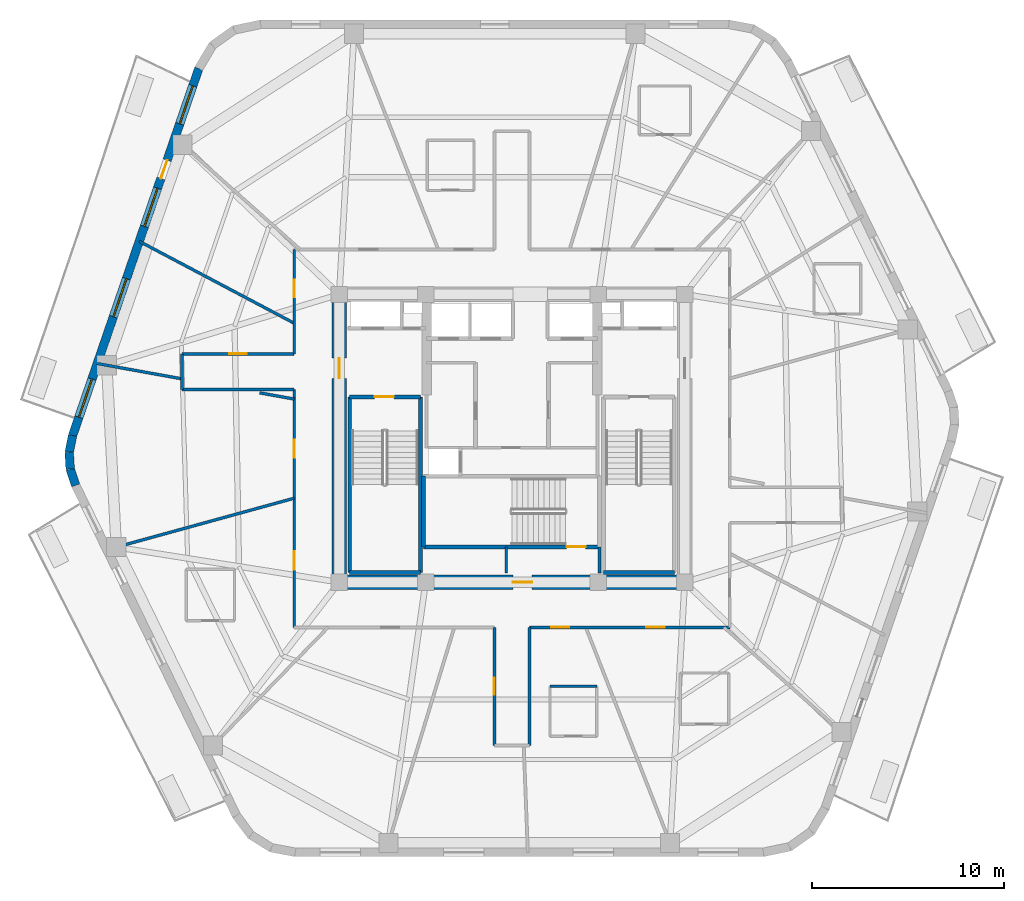
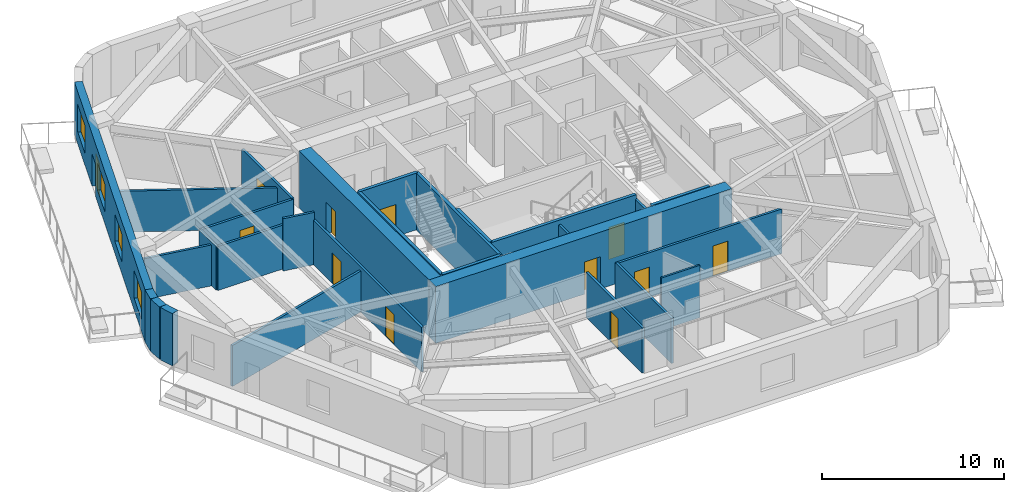
# One storey, part 3 of 9: 28 walls, 12 doors, 4 windows, 16 openings.
"""IFC4 building model written with IfcOpenShell, lengths in metres."""

from ifc_helpers import new_model, si_unit, direction, frame, frame_2d, origin, place, context, subcontext, project, spatial, rectangle, extrude, material, layer, layer_set, type_object, element, fill, save


model = new_model("IFC4")

# Units and contexts
model_context = context("Model", 3, precision=1e-05, world=origin(), true_north=direction((0.0, 1.0)))
body_context = subcontext(model_context, "Body", "Model", "MODEL_VIEW")
ifc_project = project(units=[si_unit("LENGTHUNIT", "METRE"), si_unit("AREAUNIT", "SQUARE_METRE"), si_unit("VOLUMEUNIT", "CUBIC_METRE"), si_unit("PLANEANGLEUNIT", "RADIAN"), si_unit("MASSUNIT", "GRAM", prefix="KILO")], contexts=[model_context])

# Site, building, storey
site_placement = place(None, origin())
site = spatial("IfcSite", under=ifc_project, at=site_placement, CompositionType="ELEMENT")
building_placement = place(site_placement, origin())
building = spatial("IfcBuilding", under=site, at=building_placement, Name="Kilnhurst Terrace Hotel", CompositionType="ELEMENT")
storey_placement = place(building_placement, frame((0.0, 0.0, 240.699951171875)))
storey = spatial("IfcBuildingStorey", under=building, at=storey_placement, Name="L60", CompositionType="ELEMENT", Elevation=240.699951171875)

# Walls
ifc_material_1 = material(Name="Precast concrete C40/50", Category="concrete")
ifc_layer_1 = layer(ifc_material_1, 0.449951171875, Name="Precast concrete C40/50")
ifc_layer_set_1 = layer_set([ifc_layer_1], Name="Precast concrete C40/50")
wall_type_1 = type_object("IfcWallType", Name="WL-BRK-450", PredefinedType="SOLIDWALL", material=ifc_layer_set_1)
wall_1_placement = place(storey_placement, frame((-22.8984375, 0.149658203125, 0.0), z_axis=(0.0, 0.0, 1.0), x_axis=(-0.199055826889, -0.979988151858, 0.0)))
element("IfcWall", 1, at=wall_1_placement, inside=storey, type_object=wall_type_1, Name="L60 Rounded Corner Brick Wall C6.1", PredefinedType="SOLIDWALL", context=body_context, shape_type="SweptSolid", body=[
    extrude(rectangle(XDim=0.89404296875, YDim=0.449951171875, at=frame_2d((0.447021484375, 0.0))), origin(), (0.0, 0.0, 1.0), 3.5),
])
wall_2_placement = place(storey_placement, frame((-23.076416015625, -0.7265625, 0.0), z_axis=(0.0, 0.0, 1.0), x_axis=(0.060805222108, -0.998149650586, 0.0)))
element("IfcWall", 2, at=wall_2_placement, inside=storey, type_object=wall_type_1, Name="L60 Rounded Corner Brick Wall C6.2", PredefinedType="SOLIDWALL", context=body_context, shape_type="SweptSolid", body=[
    extrude(rectangle(XDim=0.87939453125, YDim=0.449951171875, at=frame_2d((0.439697265625, 0.0))), origin(), (0.0, 0.0, 1.0), 3.5),
])
wall_3_placement = place(storey_placement, frame((-23.02294921875, -1.604248046875, 0.0), z_axis=(0.0, 0.0, 1.0), x_axis=(0.316801227695, -0.948491951537, 0.0)))
element("IfcWall", 3, at=wall_3_placement, inside=storey, type_object=wall_type_1, Name="L60 Rounded Corner Brick Wall C6.3", PredefinedType="SOLIDWALL", context=body_context, shape_type="SweptSolid", body=[
    extrude(rectangle(XDim=0.89404296875, YDim=0.449951171875, at=frame_2d((0.447021484375, 0.0))), origin(), (0.0, 0.0, 1.0), 3.5),
])

# Wall, openings, door, windows
wall_4_placement = place(storey_placement, frame((-16.323974609375, 19.275146484375, 0.0), z_axis=(0.0, 0.0, 1.0), x_axis=(-0.325083142304, -0.945685439557, 0.0)))
wall_4 = element("IfcWall", 4, at=wall_4_placement, inside=storey, type_object=wall_type_1, Name="L60 Exterior Brick Facade Wall F5", PredefinedType="SOLIDWALL", context=body_context, shape_type="SweptSolid", body=[
    extrude(rectangle(XDim=20.223876953125, YDim=0.449951171875, at=frame_2d((10.11181640625, 0.0))), origin(), (0.0, 0.0, 1.0), 3.5),
])
opening_1_placement = place(wall_4_placement, frame((5.06201171875, 0.0, 0.0)))
opening_1 = element("IfcOpeningElement", 5, at=opening_1_placement, cuts=wall_4, Name="Opening BD-1000", PredefinedType="OPENING", context=body_context, shape_type="SweptSolid", body=[
    extrude(rectangle(XDim=1.0, YDim=2.14990234375, at=frame_2d((0.5, 1.074951171875))), frame((0.0, 0.23486328125, 0.0), z_axis=(0.0, -1.0, 0.0), x_axis=(1.0, 0.0, 0.0)), (0.0, 0.0, 1.0), 0.469970703125),
])
opening_2_placement = place(wall_4_placement, frame((0.952880859375, 0.0, 0.800048828125)))
opening_2 = element("IfcOpeningElement", 6, at=opening_2_placement, cuts=wall_4, Name="Opening W-04", PredefinedType="OPENING", context=body_context, shape_type="SweptSolid", body=[
    extrude(rectangle(XDim=2.10009765625, YDim=1.85009765625, at=frame_2d((1.050048828125, 0.925048828125))), frame((0.0, 0.23486328125, 0.0), z_axis=(0.0, -1.0, 0.0), x_axis=(1.0, 0.0, 0.0)), (0.0, 0.0, 1.0), 0.469970703125),
])
opening_3_placement = place(wall_4_placement, frame((6.60400390625, 0.0, 0.800048828125)))
opening_3 = element("IfcOpeningElement", 7, at=opening_3_placement, cuts=wall_4, Name="Opening W-04", PredefinedType="OPENING", context=body_context, shape_type="SweptSolid", body=[
    extrude(rectangle(XDim=2.10009765625, YDim=1.85009765625, at=frame_2d((1.050048828125, 0.925048828125))), frame((0.0, 0.23486328125, 0.0), z_axis=(0.0, -1.0, 0.0), x_axis=(1.0, 0.0, 0.0)), (0.0, 0.0, 1.0), 0.469970703125),
])
opening_4_placement = place(wall_4_placement, frame((11.5849609375, 0.0, 0.800048828125)))
opening_4 = element("IfcOpeningElement", 8, at=opening_4_placement, cuts=wall_4, Name="Opening W-04", PredefinedType="OPENING", context=body_context, shape_type="SweptSolid", body=[
    extrude(rectangle(XDim=2.10009765625, YDim=1.85009765625, at=frame_2d((1.050048828125, 0.925048828125))), frame((0.0, 0.23486328125, 0.0), z_axis=(0.0, -1.0, 0.0), x_axis=(1.0, 0.0, 0.0)), (0.0, 0.0, 1.0), 0.469970703125),
])
opening_5_placement = place(wall_4_placement, frame((17.117919921875, 0.0, 0.800048828125)))
opening_5 = element("IfcOpeningElement", 9, at=opening_5_placement, cuts=wall_4, Name="Opening W-04", PredefinedType="OPENING", context=body_context, shape_type="SweptSolid", body=[
    extrude(rectangle(XDim=2.10009765625, YDim=1.85009765625, at=frame_2d((1.050048828125, 0.925048828125))), frame((0.0, 0.23486328125, 0.0), z_axis=(0.0, -1.0, 0.0), x_axis=(1.0, 0.0, 0.0)), (0.0, 0.0, 1.0), 0.469970703125),
])
ifc_material_2 = material(Name="Thermally Broken Bronze Aluminium Alloy 6063-T6 and Laminated Glass", Category="aluminium")
door_type_1 = type_object("IfcDoorType", Name="DR-EXT-BAL-1000", OperationType="NOTDEFINED", PredefinedType="DOOR", material=ifc_material_2)
door_1_placement = place(opening_1_placement, origin())
door_1 = element("IfcDoor", 10, at=door_1_placement, inside=storey, type_object=door_type_1, Name="L60 Planted Balcony Door BAL-L2A", OperationType="SINGLE_SWING_LEFT", OverallHeight=2.14990234375, OverallWidth=1.0, PredefinedType="DOOR", context=body_context, shape_type="SweptSolid", body=[
    extrude(rectangle(XDim=1.0, YDim=2.14990234375, at=frame_2d((0.5, 1.074951171875))), frame((0.0, 0.02490234375, 0.0), z_axis=(0.0, -1.0, 0.0), x_axis=(1.0, 0.0, 0.0)), (0.0, 0.0, 1.0), 0.050048828125),
])
fill(opening_1, door_1)
ifc_material_3 = material(Name="Thermally Broken Bronze Aluminium Alloy 6063-T6 and Low-E Glass", Category="aluminium")
window_type = type_object("IfcWindowType", Name="WIN-2100X1850", PartitioningType="SINGLE_PANEL", PredefinedType="WINDOW", material=ifc_material_3)
window_1_placement = place(opening_2_placement, origin())
window_1 = element("IfcWindow", 11, at=window_1_placement, inside=storey, type_object=window_type, Name="L60 Deep-Set Masonry Window F5.1", OverallHeight=1.85009765625, OverallWidth=2.10009765625, PartitioningType="SINGLE_PANEL", PredefinedType="WINDOW", context=body_context, shape_type="SweptSolid", body=[
    extrude(rectangle(XDim=2.10009765625, YDim=1.85009765625, at=frame_2d((1.050048828125, 0.925048828125))), frame((0.0, 0.030029296875, 0.0), z_axis=(0.0, -1.0, 0.0), x_axis=(1.0, 0.0, 0.0)), (0.0, 0.0, 1.0), 0.06005859375),
])
fill(opening_2, window_1)
window_2_placement = place(opening_3_placement, origin())
window_2 = element("IfcWindow", 12, at=window_2_placement, inside=storey, type_object=window_type, Name="L60 Deep-Set Masonry Window F5.2", OverallHeight=1.85009765625, OverallWidth=2.10009765625, PartitioningType="SINGLE_PANEL", PredefinedType="WINDOW", context=body_context, shape_type="SweptSolid", body=[
    extrude(rectangle(XDim=2.10009765625, YDim=1.85009765625, at=frame_2d((1.050048828125, 0.925048828125))), frame((0.0, 0.030029296875, 0.0), z_axis=(0.0, -1.0, 0.0), x_axis=(1.0, 0.0, 0.0)), (0.0, 0.0, 1.0), 0.06005859375),
])
fill(opening_3, window_2)
window_3_placement = place(opening_4_placement, origin())
window_3 = element("IfcWindow", 13, at=window_3_placement, inside=storey, type_object=window_type, Name="L60 Deep-Set Masonry Window F5.3", OverallHeight=1.85009765625, OverallWidth=2.10009765625, PartitioningType="SINGLE_PANEL", PredefinedType="WINDOW", context=body_context, shape_type="SweptSolid", body=[
    extrude(rectangle(XDim=2.10009765625, YDim=1.85009765625, at=frame_2d((1.050048828125, 0.925048828125))), frame((0.0, 0.030029296875, 0.0), z_axis=(0.0, -1.0, 0.0), x_axis=(1.0, 0.0, 0.0)), (0.0, 0.0, 1.0), 0.06005859375),
])
fill(opening_4, window_3)
window_4_placement = place(opening_5_placement, origin())
window_4 = element("IfcWindow", 14, at=window_4_placement, inside=storey, type_object=window_type, Name="L60 Deep-Set Masonry Window F5.4", OverallHeight=1.85009765625, OverallWidth=2.10009765625, PartitioningType="SINGLE_PANEL", PredefinedType="WINDOW", context=body_context, shape_type="SweptSolid", body=[
    extrude(rectangle(XDim=2.10009765625, YDim=1.85009765625, at=frame_2d((1.050048828125, 0.925048828125))), frame((0.0, 0.030029296875, 0.0), z_axis=(0.0, -1.0, 0.0), x_axis=(1.0, 0.0, 0.0)), (0.0, 0.0, 1.0), 0.06005859375),
])
fill(opening_5, window_4)

# Wall, openings, doors
ifc_material_4 = material(Name="Acoustic Double-Gypsum Corridor Partition Assembly")
ifc_layer_2 = layer(ifc_material_4, 0.14990234375, Name="Acoustic Double-Gypsum Corridor Partition Assembly")
ifc_layer_set_2 = layer_set([ifc_layer_2], Name="Acoustic Double-Gypsum Corridor Partition Assembly")
wall_type_2 = type_object("IfcWallType", Name="WL-COR-150", PredefinedType="PARTITIONING", material=ifc_layer_set_2)
wall_5_placement = place(storey_placement, frame((-11.35009765625, -9.85009765625, 0.0), z_axis=(0.0, 0.0, 1.0), x_axis=(0.0, 1.0, 0.0)))
wall_5 = element("IfcWall", 15, at=wall_5_placement, inside=storey, type_object=wall_type_2, Name="L60 Interior Wall WL-L60-COR-01", PredefinedType="PARTITIONING", context=body_context, shape_type="SweptSolid", body=[
    extrude(rectangle(XDim=12.400146484375, YDim=0.14990234375, at=frame_2d((6.2001953125, 0.0))), origin(), (0.0, 0.0, 1.0), 2.989990234375),
])
opening_6_placement = place(wall_5_placement, frame((8.8349609375, 0.0, 0.0)))
opening_6 = element("IfcOpeningElement", 16, at=opening_6_placement, cuts=wall_5, Name="Opening D-60B", PredefinedType="OPENING", context=body_context, shape_type="SweptSolid", body=[
    extrude(rectangle(XDim=0.949951171875, YDim=2.030029296875, at=frame_2d((0.47509765625, 1.01513671875))), frame((0.0, 0.0849609375, 0.0), z_axis=(0.0, -1.0, 0.0), x_axis=(1.0, 0.0, 0.0)), (0.0, 0.0, 1.0), 0.169921875),
])
opening_7_placement = place(wall_5_placement, frame((3.010009765625, 0.0, 0.0)))
opening_7 = element("IfcOpeningElement", 17, at=opening_7_placement, cuts=wall_5, Name="Opening D-60B", PredefinedType="OPENING", context=body_context, shape_type="SweptSolid", body=[
    extrude(rectangle(XDim=0.949951171875, YDim=2.030029296875, at=frame_2d((0.47509765625, 1.01513671875))), frame((0.0, 0.0849609375, 0.0), z_axis=(0.0, -1.0, 0.0), x_axis=(1.0, 0.0, 0.0)), (0.0, 0.0, 1.0), 0.169921875),
])
ifc_material_5 = material(Name="Acoustic Walnut Veneer Solid-Core Fire Door")
door_type_2 = type_object("IfcDoorType", Name="DR-FD60-950", OperationType="NOTDEFINED", PredefinedType="DOOR", material=ifc_material_5)
door_2_placement = place(opening_6_placement, origin())
door_2 = element("IfcDoor", 18, at=door_2_placement, inside=storey, type_object=door_type_2, Name="L60 Private Dining Room Door", OperationType="SINGLE_SWING_LEFT", OverallHeight=2.030029296875, OverallWidth=0.949951171875, PredefinedType="DOOR", context=body_context, shape_type="SweptSolid", body=[
    extrude(rectangle(XDim=0.949951171875, YDim=2.030029296875, at=frame_2d((0.47509765625, 1.01513671875))), frame((0.0, 0.02490234375, 0.0), z_axis=(0.0, -1.0, 0.0), x_axis=(1.0, 0.0, 0.0)), (0.0, 0.0, 1.0), 0.050048828125),
])
fill(opening_6, door_2)
door_3_placement = place(opening_7_placement, origin())
door_3 = element("IfcDoor", 19, at=door_3_placement, inside=storey, type_object=door_type_2, Name="L60 Executive Suite Entry Door 10", OperationType="SINGLE_SWING_RIGHT", OverallHeight=2.030029296875, OverallWidth=0.949951171875, PredefinedType="DOOR", context=body_context, shape_type="SweptSolid", body=[
    extrude(rectangle(XDim=0.949951171875, YDim=2.030029296875, at=frame_2d((0.47509765625, 1.01513671875))), frame((0.0, 0.02490234375, 0.0), z_axis=(0.0, -1.0, 0.0), x_axis=(1.0, 0.0, 0.0)), (0.0, 0.0, 1.0), 0.050048828125),
])
fill(opening_7, door_3)

# Walls
wall_6_placement = place(storey_placement, frame((-11.35009765625, 2.550048828125, 0.0), z_axis=(0.0, 0.0, 1.0), x_axis=(-1.0, 0.0, 0.0)))
element("IfcWall", 20, at=wall_6_placement, inside=storey, type_object=wall_type_2, Name="L60 Interior Wall WL-L60-COR-02", PredefinedType="PARTITIONING", context=body_context, shape_type="SweptSolid", body=[
    extrude(rectangle(XDim=5.849853515625, YDim=0.14990234375, at=frame_2d((2.9248046875, 0.0))), origin(), (0.0, 0.0, 1.0), 2.9404296875),
])
wall_7_placement = place(storey_placement, frame((-17.199951171875, 2.550048828125, 0.0), z_axis=(0.0, 0.0, 1.0), x_axis=(0.0, 1.0, 0.0)))
element("IfcWall", 21, at=wall_7_placement, inside=storey, type_object=wall_type_2, Name="L60 Interior Wall WL-L60-COR-03", PredefinedType="PARTITIONING", context=body_context, shape_type="SweptSolid", body=[
    extrude(rectangle(XDim=1.849853515625, YDim=0.14990234375, at=frame_2d((0.9248046875, 0.0))), origin(), (0.0, 0.0, 1.0), 2.9404296875),
])

# Wall, opening, door
wall_8_placement = place(storey_placement, frame((-17.199951171875, 4.39990234375, 0.0), z_axis=(0.0, 0.0, 1.0), x_axis=(1.0, 0.0, 0.0)))
wall_8 = element("IfcWall", 22, at=wall_8_placement, inside=storey, type_object=wall_type_2, Name="L60 Interior Wall WL-L60-COR-04", PredefinedType="PARTITIONING", context=body_context, shape_type="SweptSolid", body=[
    extrude(rectangle(XDim=5.849853515625, YDim=0.14990234375, at=frame_2d((2.9248046875, 0.0))), origin(), (0.0, 0.0, 1.0), 2.9404296875),
])
opening_8_placement = place(wall_8_placement, frame((2.47509765625, 0.0, 0.0)))
opening_8 = element("IfcOpeningElement", 23, at=opening_8_placement, cuts=wall_8, Name="Opening D-60C", PredefinedType="OPENING", context=body_context, shape_type="SweptSolid", body=[
    extrude(rectangle(XDim=0.89990234375, YDim=2.030029296875, at=frame_2d((0.449951171875, 1.01513671875))), frame((0.0, 0.0849609375, 0.0), z_axis=(0.0, -1.0, 0.0), x_axis=(1.0, 0.0, 0.0)), (0.0, 0.0, 1.0), 0.169921875),
])
ifc_material_6 = material(Name="Painted Solid-Core Service Fire Door")
door_type_3 = type_object("IfcDoorType", Name="DR-FD60-900", OperationType="NOTDEFINED", PredefinedType="DOOR", material=ifc_material_6)
door_4_placement = place(opening_8_placement, origin())
door_4 = element("IfcDoor", 24, at=door_4_placement, inside=storey, type_object=door_type_3, Name="L60 Private Meeting Salon Door 8", OperationType="SINGLE_SWING_RIGHT", OverallHeight=2.030029296875, OverallWidth=0.89990234375, PredefinedType="DOOR", context=body_context, shape_type="SweptSolid", body=[
    extrude(rectangle(XDim=0.89990234375, YDim=2.030029296875, at=frame_2d((0.449951171875, 1.01513671875))), frame((0.0, 0.02490234375, 0.0), z_axis=(0.0, -1.0, 0.0), x_axis=(1.0, 0.0, 0.0)), (0.0, 0.0, 1.0), 0.050048828125),
])
fill(opening_8, door_4)

wall_9_placement = place(storey_placement, frame((-11.35009765625, 4.39990234375, 0.0), z_axis=(0.0, 0.0, 1.0), x_axis=(0.0, 1.0, 0.0)))
wall_9 = element("IfcWall", 25, at=wall_9_placement, inside=storey, type_object=wall_type_2, Name="L60 Interior Wall WL-L60-COR-05", PredefinedType="PARTITIONING", context=body_context, shape_type="SweptSolid", body=[
    extrude(rectangle(XDim=5.4501953125, YDim=0.14990234375, at=frame_2d((2.72509765625, 0.0))), origin(), (0.0, 0.0, 1.0), 2.989990234375),
])
opening_9_placement = place(wall_9_placement, frame((2.955078125, 0.0, 0.0)))
opening_9 = element("IfcOpeningElement", 26, at=opening_9_placement, cuts=wall_9, Name="Opening D-60C", PredefinedType="OPENING", context=body_context, shape_type="SweptSolid", body=[
    extrude(rectangle(XDim=0.89990234375, YDim=2.030029296875, at=frame_2d((0.449951171875, 1.01513671875))), frame((0.0, 0.0849609375, 0.0), z_axis=(0.0, -1.0, 0.0), x_axis=(1.0, 0.0, 0.0)), (0.0, 0.0, 1.0), 0.169921875),
])
door_5_placement = place(opening_9_placement, origin())
door_5 = element("IfcDoor", 27, at=door_5_placement, inside=storey, type_object=door_type_3, Name="L60 Botanical Reading Lounge Door 7", OperationType="SINGLE_SWING_LEFT", OverallHeight=2.030029296875, OverallWidth=0.89990234375, PredefinedType="DOOR", context=body_context, shape_type="SweptSolid", body=[
    extrude(rectangle(XDim=0.89990234375, YDim=2.030029296875, at=frame_2d((0.449951171875, 1.01513671875))), frame((0.0, 0.02490234375, 0.0), z_axis=(0.0, -1.0, 0.0), x_axis=(1.0, 0.0, 0.0)), (0.0, 0.0, 1.0), 0.050048828125),
])
fill(opening_9, door_5)

# Wall, openings, doors
wall_10_placement = place(storey_placement, frame((11.35009765625, -9.85009765625, 0.0), z_axis=(0.0, 0.0, 1.0), x_axis=(-1.0, 0.0, 0.0)))
wall_10 = element("IfcWall", 28, at=wall_10_placement, inside=storey, type_object=wall_type_2, Name="L60 Interior Wall WL-L60-COR-16", PredefinedType="PARTITIONING", context=body_context, shape_type="SweptSolid", body=[
    extrude(rectangle(XDim=10.43017578125, YDim=0.14990234375, at=frame_2d((5.215087890625, 0.0))), origin(), (0.0, 0.0, 1.0), 2.989990234375),
])
opening_10_placement = place(wall_10_placement, frame((8.362060546875, 0.0, 0.0)))
opening_10 = element("IfcOpeningElement", 29, at=opening_10_placement, cuts=wall_10, Name="Opening D-60B", PredefinedType="OPENING", context=body_context, shape_type="SweptSolid", body=[
    extrude(rectangle(XDim=0.949951171875, YDim=2.030029296875, at=frame_2d((0.47509765625, 1.01513671875))), frame((0.0, 0.0849609375, 0.0), z_axis=(0.0, -1.0, 0.0), x_axis=(1.0, 0.0, 0.0)), (0.0, 0.0, 1.0), 0.169921875),
])
opening_11_placement = place(wall_10_placement, frame((3.39599609375, 0.0, 0.0)))
opening_11 = element("IfcOpeningElement", 30, at=opening_11_placement, cuts=wall_10, Name="Opening D-60B", PredefinedType="OPENING", context=body_context, shape_type="SweptSolid", body=[
    extrude(rectangle(XDim=0.949951171875, YDim=2.030029296875, at=frame_2d((0.47509765625, 1.01513671875))), frame((0.0, 0.0849609375, 0.0), z_axis=(0.0, -1.0, 0.0), x_axis=(1.0, 0.0, 0.0)), (0.0, 0.0, 1.0), 0.169921875),
])
door_6_placement = place(opening_10_placement, origin())
door_6 = element("IfcDoor", 31, at=door_6_placement, inside=storey, type_object=door_type_2, Name="L60 Guest Room Entry Door 13", OperationType="SINGLE_SWING_LEFT", OverallHeight=2.030029296875, OverallWidth=0.949951171875, PredefinedType="DOOR", context=body_context, shape_type="SweptSolid", body=[
    extrude(rectangle(XDim=0.949951171875, YDim=2.030029296875, at=frame_2d((0.47509765625, 1.01513671875))), frame((0.0, 0.02490234375, 0.0), z_axis=(0.0, -1.0, 0.0), x_axis=(1.0, 0.0, 0.0)), (0.0, 0.0, 1.0), 0.050048828125),
])
fill(opening_10, door_6)
door_7_placement = place(opening_11_placement, origin())
door_7 = element("IfcDoor", 32, at=door_7_placement, inside=storey, type_object=door_type_2, Name="L60 Executive Suite Entry Door 14", OperationType="SINGLE_SWING_RIGHT", OverallHeight=2.030029296875, OverallWidth=0.949951171875, PredefinedType="DOOR", context=body_context, shape_type="SweptSolid", body=[
    extrude(rectangle(XDim=0.949951171875, YDim=2.030029296875, at=frame_2d((0.47509765625, 1.01513671875))), frame((0.0, 0.02490234375, 0.0), z_axis=(0.0, -1.0, 0.0), x_axis=(1.0, 0.0, 0.0)), (0.0, 0.0, 1.0), 0.050048828125),
])
fill(opening_11, door_7)

# Wall
wall_11_placement = place(storey_placement, frame((0.919921875, -9.85009765625, 0.0), z_axis=(0.0, 0.0, 1.0), x_axis=(0.0, -1.0, 0.0)))
element("IfcWall", 33, at=wall_11_placement, inside=storey, type_object=wall_type_2, Name="L60 Interior Wall WL-L60-COR-17", PredefinedType="PARTITIONING", context=body_context, shape_type="SweptSolid", body=[
    extrude(rectangle(XDim=6.14990234375, YDim=0.14990234375, at=frame_2d((3.074951171875, 0.0))), origin(), (0.0, 0.0, 1.0), 3.026611328125),
])

# Wall, opening, door
wall_12_placement = place(storey_placement, frame((-0.919921875, -16.0, 0.0), z_axis=(0.0, 0.0, 1.0), x_axis=(0.0, 1.0, 0.0)))
wall_12 = element("IfcWall", 34, at=wall_12_placement, inside=storey, type_object=wall_type_2, Name="L60 Interior Wall WL-L60-COR-19", PredefinedType="PARTITIONING", context=body_context, shape_type="SweptSolid", body=[
    extrude(rectangle(XDim=6.14990234375, YDim=0.14990234375, at=frame_2d((3.074951171875, 0.0))), origin(), (0.0, 0.0, 1.0), 3.026611328125),
])
opening_12_placement = place(wall_12_placement, frame((2.625, 0.0, 0.0)))
opening_12 = element("IfcOpeningElement", 35, at=opening_12_placement, cuts=wall_12, Name="Opening D-60C", PredefinedType="OPENING", context=body_context, shape_type="SweptSolid", body=[
    extrude(rectangle(XDim=0.89990234375, YDim=2.030029296875, at=frame_2d((0.449951171875, 1.01513671875))), frame((0.0, 0.0849609375, 0.0), z_axis=(0.0, -1.0, 0.0), x_axis=(1.0, 0.0, 0.0)), (0.0, 0.0, 1.0), 0.169921875),
])
door_8_placement = place(opening_12_placement, origin())
door_8 = element("IfcDoor", 36, at=door_8_placement, inside=storey, type_object=door_type_3, Name="L60 Wellness Consultation Room Door 12", OperationType="SINGLE_SWING_RIGHT", OverallHeight=2.030029296875, OverallWidth=0.89990234375, PredefinedType="DOOR", context=body_context, shape_type="SweptSolid", body=[
    extrude(rectangle(XDim=0.89990234375, YDim=2.030029296875, at=frame_2d((0.449951171875, 1.01513671875))), frame((0.0, 0.02490234375, 0.0), z_axis=(0.0, -1.0, 0.0), x_axis=(1.0, 0.0, 0.0)), (0.0, 0.0, 1.0), 0.050048828125),
])
fill(opening_12, door_8)

ifc_material_7 = material(Name="Concrete C60/75", Category="concrete")
ifc_layer_3 = layer(ifc_material_7, 0.75, Name="Concrete C60/75")
ifc_layer_set_3 = layer_set([ifc_layer_3], Name="Concrete C60/75")
wall_type_3 = type_object("IfcWallType", Name="WL-CORE-750", PredefinedType="SHEAR", material=ifc_layer_set_3)
wall_13_placement = place(storey_placement, frame((-9.375, -7.5, 0.0), z_axis=(0.0, 0.0, 1.0), x_axis=(1.0, 0.0, 0.0)))
wall_13 = element("IfcWall", 37, at=wall_13_placement, inside=storey, type_object=wall_type_3, Name="L60 Core South Shear Wall", PredefinedType="SHEAR", context=body_context, shape_type="SweptSolid", body=[
    extrude(rectangle(XDim=18.75, YDim=0.75, at=frame_2d((9.375, 0.0))), origin(), (0.0, 0.0, 1.0), 3.800048828125),
])
opening_13_placement = place(wall_13_placement, frame((9.425048828125, 0.0, 0.0)))
opening_13 = element("IfcOpeningElement", 38, at=opening_13_placement, cuts=wall_13, Name="Opening D-90B", PredefinedType="OPENING", context=body_context, shape_type="SweptSolid", body=[
    extrude(rectangle(XDim=1.0, YDim=2.14990234375, at=frame_2d((0.5, 1.074951171875))), frame((0.0, 0.385009765625, 0.0), z_axis=(0.0, -1.0, 0.0), x_axis=(1.0, 0.0, 0.0)), (0.0, 0.0, 1.0), 0.77001953125),
])
ifc_material_8 = material(Name="Painted Hollow Metal Steel ASTM A36 Fire Door", Category="steel")
door_type_4 = type_object("IfcDoorType", Name="DR-FD90-1000", OperationType="NOTDEFINED", PredefinedType="DOOR", material=ifc_material_8)
door_9_placement = place(opening_13_placement, origin())
door_9 = element("IfcDoor", 39, at=door_9_placement, inside=storey, type_object=door_type_4, Name="L60 Stair ST-3 Corridor Door", OperationType="SINGLE_SWING_RIGHT", OverallHeight=2.14990234375, OverallWidth=1.0, PredefinedType="DOOR", context=body_context, shape_type="SweptSolid", body=[
    extrude(rectangle(XDim=1.0, YDim=2.14990234375, at=frame_2d((0.5, 1.074951171875))), frame((0.0, 0.02490234375, 0.0), z_axis=(0.0, -1.0, 0.0), x_axis=(1.0, 0.0, 0.0)), (0.0, 0.0, 1.0), 0.050048828125),
])
fill(opening_13, door_9)

wall_14_placement = place(storey_placement, frame((-9.0, -7.125, 0.0), z_axis=(0.0, 0.0, 1.0), x_axis=(0.0, 1.0, 0.0)))
wall_14 = element("IfcWall", 40, at=wall_14_placement, inside=storey, type_object=wall_type_3, Name="L60 Core West Shear Wall", PredefinedType="SHEAR", context=body_context, shape_type="SweptSolid", body=[
    extrude(rectangle(XDim=14.25, YDim=0.75, at=frame_2d((7.125, 0.0))), origin(), (0.0, 0.0, 1.0), 3.800048828125),
])
opening_14_placement = place(wall_14_placement, frame((10.25, 0.0, 0.0)))
opening_14 = element("IfcOpeningElement", 41, at=opening_14_placement, cuts=wall_14, Name="Opening D-90A", PredefinedType="OPENING", context=body_context, shape_type="SweptSolid", body=[
    extrude(rectangle(XDim=1.050048828125, YDim=2.14990234375, at=frame_2d((0.52490234375, 1.074951171875))), frame((0.0, 0.385009765625, 0.0), z_axis=(0.0, -1.0, 0.0), x_axis=(1.0, 0.0, 0.0)), (0.0, 0.0, 1.0), 0.77001953125),
])
door_type_5 = type_object("IfcDoorType", Name="DR-FD90-1050", OperationType="NOTDEFINED", PredefinedType="DOOR", material=ifc_material_8)
door_10_placement = place(opening_14_placement, origin())
door_10 = element("IfcDoor", 42, at=door_10_placement, inside=storey, type_object=door_type_5, Name="L60 West Firefighting Lobby Door", OperationType="SINGLE_SWING_RIGHT", OverallHeight=2.14990234375, OverallWidth=1.050048828125, PredefinedType="DOOR", context=body_context, shape_type="SweptSolid", body=[
    extrude(rectangle(XDim=1.050048828125, YDim=2.14990234375, at=frame_2d((0.52490234375, 1.074951171875))), frame((0.0, 0.02490234375, 0.0), z_axis=(0.0, -1.0, 0.0), x_axis=(1.0, 0.0, 0.0)), (0.0, 0.0, 1.0), 0.050048828125),
])
fill(opening_14, door_10)

# Walls
ifc_material_9 = material(Name="STC-58 Acoustic Twin-Frame Guestroom Demising Partition")
ifc_layer_4 = layer(ifc_material_9, 0.14990234375, Name="STC-58 Acoustic Twin-Frame Guestroom Demising Partition")
ifc_layer_set_4 = layer_set([ifc_layer_4], Name="STC-58 Acoustic Twin-Frame Guestroom Demising Partition")
wall_type_4 = type_object("IfcWallType", Name="WL-DEM-150", PredefinedType="PARTITIONING", material=ifc_layer_set_4)
wall_15_placement = place(storey_placement, frame((-11.35009765625, 5.9990234375, 0.0), z_axis=(0.0, 0.0, 1.0), x_axis=(-0.884112301724, 0.467274478161, 0.0)))
element("IfcWall", 43, at=wall_15_placement, inside=storey, type_object=wall_type_4, Name="L60 Interior Wall WL-L60-DEM-MID05-08-1", PredefinedType="PARTITIONING", context=body_context, shape_type="SweptSolid", body=[
    extrude(rectangle(XDim=9.129150390625, YDim=0.14990234375, at=frame_2d((4.564453125, 0.0))), origin(), (0.0, 0.0, 1.0), 2.739990234375),
])
wall_16_placement = place(storey_placement, frame((-11.35009765625, 2.046142578125, 0.0), z_axis=(0.0, 0.0, 1.0), x_axis=(-0.984127783205, 0.177461281195, 0.0)))
element("IfcWall", 44, at=wall_16_placement, inside=storey, type_object=wall_type_4, Name="L60 Interior Wall WL-L60-DEM-COL06-09-1", PredefinedType="PARTITIONING", context=body_context, shape_type="SweptSolid", body=[
    extrude(rectangle(XDim=1.82568359375, YDim=0.14990234375, at=frame_2d((0.912841796875, 0.0))), origin(), (0.0, 0.0, 1.0), 3.5),
])
wall_17_placement = place(storey_placement, frame((-17.199951171875, 3.1005859375, 0.0), z_axis=(0.0, 0.0, 1.0), x_axis=(-0.98413465883, 0.177423147559, 0.0)))
element("IfcWall", 45, at=wall_17_placement, inside=storey, type_object=wall_type_4, Name="L60 Interior Wall WL-L60-DEM-COL06-09-2", PredefinedType="PARTITIONING", context=body_context, shape_type="SweptSolid", body=[
    extrude(rectangle(XDim=4.481689453125, YDim=0.14990234375, at=frame_2d((2.24072265625, 0.0))), origin(), (0.0, 0.0, 1.0), 2.739990234375),
])
wall_18_placement = place(storey_placement, frame((-11.35009765625, -3.12060546875, 0.0), z_axis=(0.0, 0.0, 1.0), x_axis=(-0.964212793822, -0.265129568758, 0.0)))
element("IfcWall", 46, at=wall_18_placement, inside=storey, type_object=wall_type_4, Name="L60 Interior Wall WL-L60-DEM-COL07-10-1", PredefinedType="PARTITIONING", context=body_context, shape_type="SweptSolid", body=[
    extrude(rectangle(XDim=10.119873046875, YDim=0.14990234375, at=frame_2d((5.06005859375, 0.0))), origin(), (0.0, 0.0, 1.0), 2.739990234375),
])
ifc_material_10 = material(Name="120 mm Moisture-Resistant Tile-Backed Bathroom Partition")
ifc_layer_5 = layer(ifc_material_10, 0.1201171875, Name="120 mm Moisture-Resistant Tile-Backed Bathroom Partition")
ifc_layer_set_5 = layer_set([ifc_layer_5], Name="120 mm Moisture-Resistant Tile-Backed Bathroom Partition")
wall_type_5 = type_object("IfcWallType", Name="WL-PART-120", PredefinedType="PARTITIONING", material=ifc_layer_set_5)
wall_19_placement = place(storey_placement, frame((4.41796875, -12.919921875, 0.0), z_axis=(0.0, 0.0, 1.0), x_axis=(-1.0, 0.0, 0.0)))
element("IfcWall", 47, at=wall_19_placement, inside=storey, type_object=wall_type_5, Name="L60 Interior Wall WL-L60-BTH-13-3", PredefinedType="PARTITIONING", context=body_context, shape_type="SweptSolid", body=[
    extrude(rectangle(XDim=2.43994140625, YDim=0.1201171875, at=frame_2d((1.219970703125, 0.0))), origin(), (0.0, 0.0, 1.0), 3.5),
])
ifc_material_11 = material(Name="Fire-Rated Gypsum Shaftliner Assembly")
ifc_layer_6 = layer(ifc_material_11, 0.14990234375, Name="Fire-Rated Gypsum Shaftliner Assembly")
ifc_layer_set_6 = layer_set([ifc_layer_6], Name="Fire-Rated Gypsum Shaftliner Assembly")
wall_type_6 = type_object("IfcWallType", Name="WL-SHAFT-150", PredefinedType="PARTITIONING", material=ifc_layer_set_6)
for number, where, z_axis, x_axis, name in (
    (48, (-0.300048828125, -7.02001953125, 0.0), (0.0, 0.0, 1.0), (0.0, 1.0, 0.0), "L60 Interior Wall WL-L60-ST3-PSGW"),
    (49, (4.55810546875, -7.02001953125, 0.0), (0.0, 0.0, 1.0), (0.0, 1.0, 0.0), "L60 Interior Wall WL-L60-ST3-PSGE"),
):
    element("IfcWall", number, at=place(storey_placement, frame(where, z_axis=z_axis, x_axis=x_axis)), inside=storey, type_object=wall_type_6, Name=name, PredefinedType="PARTITIONING", context=body_context, shape_type="SweptSolid", body=[
        extrude(rectangle(XDim=1.362060546875, YDim=0.14990234375, at=frame_2d((0.68115234375, 0.0))), origin(), (0.0, 0.0, 1.0), 3.5),
    ])
ifc_material_12 = material(Name="Concrete C50/60", Category="concrete")
ifc_layer_7 = layer(ifc_material_12, 0.199951171875, Name="Concrete C50/60")
ifc_layer_set_7 = layer_set([ifc_layer_7], Name="Concrete C50/60")
wall_type_7 = type_object("IfcWallType", Name="WL-STAIR-RC-200", PredefinedType="SHEAR", material=ifc_layer_set_7)
for number, where, z_axis, x_axis, name in (
    (50, (-8.4580078125, -6.985107421875, 0.0), (0.0, 0.0, 1.0), (0.0, 1.0, 0.0), "L60 Structural Stair Shaft Wall WL-L60-ST1-W"),
    (51, (-4.77197265625, -6.985107421875, 0.0), (0.0, 0.0, 1.0), (0.0, 1.0, 0.0), "L60 Structural Stair Shaft Wall WL-L60-ST1-E"),
):
    element("IfcWall", number, at=place(storey_placement, frame(where, z_axis=z_axis, x_axis=x_axis)), inside=storey, type_object=wall_type_7, Name=name, PredefinedType="SHEAR", context=body_context, shape_type="SweptSolid", body=[
        extrude(rectangle(XDim=9.14306640625, YDim=0.199951171875, at=frame_2d((4.571533203125, 0.0))), origin(), (0.0, 0.0, 1.0), 3.800048828125),
    ])
wall_20_placement = place(storey_placement, frame((-8.4580078125, -6.985107421875, 0.0), z_axis=(0.0, 0.0, 1.0), x_axis=(1.0, 0.0, 0.0)))
element("IfcWall", 52, at=wall_20_placement, inside=storey, type_object=wall_type_7, Name="L60 Structural Stair Shaft Wall WL-L60-ST1-S", PredefinedType="SHEAR", context=body_context, shape_type="SweptSolid", body=[
    extrude(rectangle(XDim=3.68603515625, YDim=0.199951171875, at=frame_2d((1.843017578125, 0.0))), origin(), (0.0, 0.0, 1.0), 3.800048828125),
])

# Wall, opening, door
wall_21_placement = place(storey_placement, frame((-8.4580078125, 2.157958984375, 0.0), z_axis=(0.0, 0.0, 1.0), x_axis=(1.0, 0.0, 0.0)))
wall_21 = element("IfcWall", 53, at=wall_21_placement, inside=storey, type_object=wall_type_7, Name="L60 Structural Stair Shaft Wall WL-L60-ST1-N", PredefinedType="SHEAR", context=body_context, shape_type="SweptSolid", body=[
    extrude(rectangle(XDim=3.68603515625, YDim=0.199951171875, at=frame_2d((1.843017578125, 0.0))), origin(), (0.0, 0.0, 1.0), 3.800048828125),
])
opening_15_placement = place(wall_21_placement, frame((1.300048828125, 0.0, 0.0)))
opening_15 = element("IfcOpeningElement", 54, at=opening_15_placement, cuts=wall_21, Name="Opening D-90B", PredefinedType="OPENING", context=body_context, shape_type="SweptSolid", body=[
    extrude(rectangle(XDim=1.0, YDim=2.14990234375, at=frame_2d((0.5, 1.074951171875))), frame((0.0, 0.10986328125, 0.0), z_axis=(0.0, -1.0, 0.0), x_axis=(1.0, 0.0, 0.0)), (0.0, 0.0, 1.0), 0.219970703125),
])
door_11_placement = place(opening_15_placement, origin())
door_11 = element("IfcDoor", 55, at=door_11_placement, inside=storey, type_object=door_type_4, Name="L60 Stair ST-1 Door", OperationType="SINGLE_SWING_LEFT", OverallHeight=2.14990234375, OverallWidth=1.0, PredefinedType="DOOR", context=body_context, shape_type="SweptSolid", body=[
    extrude(rectangle(XDim=1.0, YDim=2.14990234375, at=frame_2d((0.5, 1.074951171875))), frame((0.0, 0.02490234375, 0.0), z_axis=(0.0, -1.0, 0.0), x_axis=(1.0, 0.0, 0.0)), (0.0, 0.0, 1.0), 0.050048828125),
])
fill(opening_15, door_11)

# Walls
for number, where, z_axis, x_axis, name in (
    (56, (4.77197265625, -6.985107421875, 0.0), (0.0, 0.0, 1.0), (1.0, 0.0, 0.0), "L60 Structural Stair Shaft Wall WL-L60-ST2-S"),
    (57, (-4.60791015625, -5.657958984375, 0.0), (0.0, 0.0, 1.0), (0.0, 1.0, 0.0), "L60 Structural Stair Shaft Wall WL-L60-ST3-W"),
):
    element("IfcWall", number, at=place(storey_placement, frame(where, z_axis=z_axis, x_axis=x_axis)), inside=storey, type_object=wall_type_7, Name=name, PredefinedType="SHEAR", context=body_context, shape_type="SweptSolid", body=[
        extrude(rectangle(XDim=3.68603515625, YDim=0.199951171875, at=frame_2d((1.843017578125, 0.0))), origin(), (0.0, 0.0, 1.0), 3.800048828125),
    ])

# Wall, opening, door
wall_22_placement = place(storey_placement, frame((-4.60791015625, -5.657958984375, 0.0), z_axis=(0.0, 0.0, 1.0), x_axis=(1.0, 0.0, 0.0)))
wall_22 = element("IfcWall", 58, at=wall_22_placement, inside=storey, type_object=wall_type_7, Name="L60 Structural Stair Shaft Wall WL-L60-ST3-S", PredefinedType="SHEAR", context=body_context, shape_type="SweptSolid", body=[
    extrude(rectangle(XDim=9.166015625, YDim=0.199951171875, at=frame_2d((4.5830078125, 0.0))), origin(), (0.0, 0.0, 1.0), 3.800048828125),
])
opening_16_placement = place(wall_22_placement, frame((7.449951171875, 0.0, 0.0)))
opening_16 = element("IfcOpeningElement", 59, at=opening_16_placement, cuts=wall_22, Name="Opening D-90B", PredefinedType="OPENING", context=body_context, shape_type="SweptSolid", body=[
    extrude(rectangle(XDim=1.0, YDim=2.14990234375, at=frame_2d((0.5, 1.074951171875))), frame((0.0, 0.10986328125, 0.0), z_axis=(0.0, -1.0, 0.0), x_axis=(1.0, 0.0, 0.0)), (0.0, 0.0, 1.0), 0.219970703125),
])
door_12_placement = place(opening_16_placement, origin())
door_12 = element("IfcDoor", 60, at=door_12_placement, inside=storey, type_object=door_type_4, Name="L60 Stair ST-3 Shaft Door", OperationType="SINGLE_SWING_LEFT", OverallHeight=2.14990234375, OverallWidth=1.0, PredefinedType="DOOR", context=body_context, shape_type="SweptSolid", body=[
    extrude(rectangle(XDim=1.0, YDim=2.14990234375, at=frame_2d((0.5, 1.074951171875))), frame((0.0, 0.02490234375, 0.0), z_axis=(0.0, -1.0, 0.0), x_axis=(1.0, 0.0, 0.0)), (0.0, 0.0, 1.0), 0.050048828125),
])
fill(opening_16, door_12)

save(model, "model.ifc")
